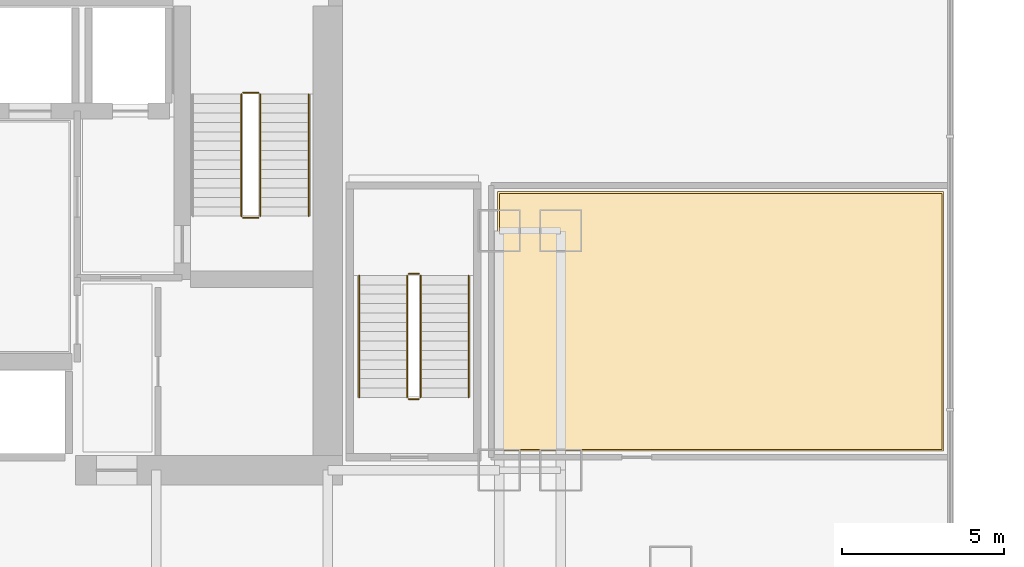
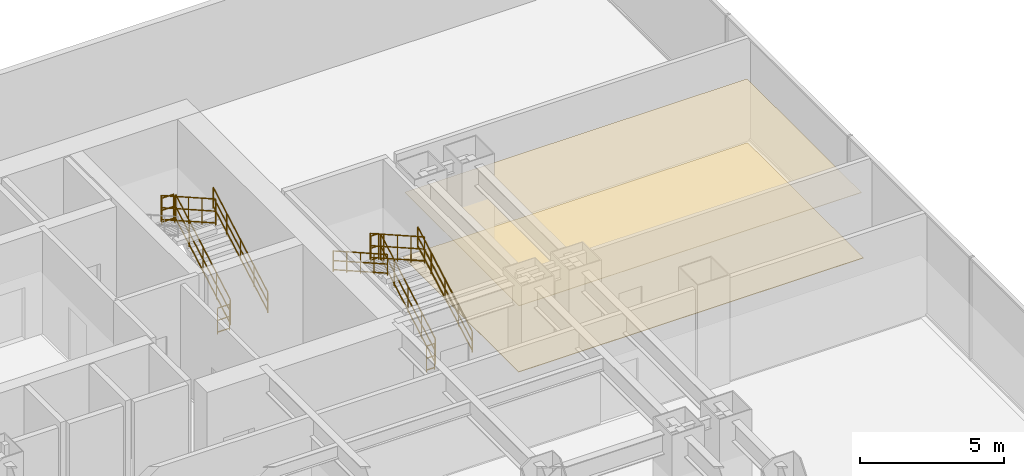
# One storey, part 13 of 13: 11 railings, 2 coverings.
"""IFC4 building model written with IfcOpenShell, lengths in metres."""

from ifc_helpers import new_model, si_unit, direction, frame, origin, origin_2d, place, context, subcontext, project, spatial, polyline, circle, outline, extrude, material, layer, layer_set, type_object, element, save


model = new_model("IFC4")

# Units and contexts
model_context = context("Model", 3, precision=1e-05, world=origin(), true_north=direction((0.0, 1.0)))
body_context = subcontext(model_context, "Body", "Model", "MODEL_VIEW")
ifc_project = project(units=[si_unit("LENGTHUNIT", "METRE"), si_unit("AREAUNIT", "SQUARE_METRE"), si_unit("VOLUMEUNIT", "CUBIC_METRE"), si_unit("PLANEANGLEUNIT", "RADIAN"), si_unit("MASSUNIT", "GRAM", prefix="KILO")], contexts=[model_context])

# Site, building, storey
site_placement = place(None, origin())
site = spatial("IfcSite", under=ifc_project, at=site_placement, CompositionType="ELEMENT")
building_placement = place(site_placement, origin())
building = spatial("IfcBuilding", under=site, at=building_placement, Name="Qianlan Lanfeng Residences", CompositionType="ELEMENT")
storey_placement = place(building_placement, frame((0.0, 0.0, 5.199951171875)))
storey = spatial("IfcBuildingStorey", under=building, at=storey_placement, Name="L01", CompositionType="ELEMENT", Elevation=5.199951171875)

# Coverings
ifc_material_1 = material(Name="Acoustic Perforated Gypsum Ceiling Board")
ifc_layer_1 = layer(ifc_material_1, 0.02001953125)
ifc_layer_set_1 = layer_set([ifc_layer_1], Name="Acoustic Perforated Gypsum Ceiling Board")
covering_type_1 = type_object("IfcCoveringType", Name="CLG-GYP-15", PredefinedType="CEILING", material=ifc_layer_set_1)
covering_1_placement = place(storey_placement, frame((0.0, 0.0, 2.75)))
element("IfcCovering", 1, at=covering_1_placement, inside=storey, type_object=covering_type_1, Name="L01 Resident Lounge Suspended Ceiling", PredefinedType="CEILING", context=body_context, shape_type="SweptSolid", body=[
    extrude(outline(polyline([(47.699951171875, 25.840087890625), (61.3798828125, 25.840087890625), (61.3798828125, 33.760009765625), (47.699951171875, 33.760009765625), (47.699951171875, 25.840087890625)])), origin(), (0.0, 0.0, 1.0), 0.02001953125),
])
ifc_material_2 = material(Name="Engineered Smoked Oak Timber Flooring", Category="wood")
ifc_layer_2 = layer(ifc_material_2, 0.02197265625)
ifc_layer_set_2 = layer_set([ifc_layer_2], Name="Engineered Smoked Oak Timber Flooring")
covering_type_2 = type_object("IfcCoveringType", Name="FLR-TIM-22", PredefinedType="FLOORING", material=ifc_layer_set_2)
covering_2_placement = place(storey_placement, origin())
element("IfcCovering", 2, at=covering_2_placement, inside=storey, type_object=covering_type_2, Name="L01 Resident Lounge Floor Finish", PredefinedType="FLOORING", context=body_context, shape_type="SweptSolid", body=[
    extrude(outline(polyline([(47.64990234375, 25.7900390625), (61.429931640625, 25.7900390625), (61.429931640625, 33.81005859375), (47.64990234375, 33.81005859375), (47.64990234375, 25.7900390625)])), origin(), (0.0, 0.0, 1.0), 0.02197265625),
])

# Railings
ifc_material_3 = material(Name="Painted Galvanised Steel Guardrail", Category="steel")
railing_type_1 = type_object("IfcRailingType", Name="GR-ST-1120", PredefinedType="GUARDRAIL", material=ifc_material_3)
railing_1_placement = place(storey_placement, frame((40.31005859375, 33.050048828125, 0.164306640625)))
element("IfcRailing", 3, at=railing_1_placement, inside=storey, type_object=railing_type_1, Name="L01 ST-2 stair guard 1", PredefinedType="GUARDRAIL", context=body_context, shape_type="SweptSolid", body=[
    extrude(circle(Radius=0.02392578125, at=origin_2d()), frame((0.0, 0.0, 0.083984375), z_axis=(0.0, 0.870081794457, 0.492907365491), x_axis=(-1.0, 0.0, 0.0)), (0.0, 0.0, 1.0), 4.3330078125),
    extrude(circle(Radius=0.02392578125, at=origin_2d()), frame((0.0, 0.0, 0.58251953125), z_axis=(0.0, 0.870081794457, 0.492907365491), x_axis=(-1.0, 0.0, 0.0)), (0.0, 0.0, 1.0), 4.3330078125),
    extrude(circle(Radius=0.02392578125, at=origin_2d()), frame((0.0, 0.0, 1.09619140625), z_axis=(0.0, 0.870081794457, 0.492907365491), x_axis=(-1.0, 0.0, 0.0)), (0.0, 0.0, 1.0), 4.3330078125),
    extrude(circle(Radius=0.02099609375, at=origin_2d()), origin(), (0.0, 0.0, 1.0), 1.072021484375),
    extrude(circle(Radius=0.02099609375, at=origin_2d()), frame((0.0, 0.9423828125, 0.533935546875)), (0.0, 0.0, 1.0), 1.072021484375),
    extrude(circle(Radius=0.02099609375, at=origin_2d()), frame((0.0, 1.885009765625, 1.06787109375)), (0.0, 0.0, 1.0), 1.072021484375),
    extrude(circle(Radius=0.02099609375, at=origin_2d()), frame((0.0, 2.82763671875, 1.601806640625)), (0.0, 0.0, 1.0), 1.072021484375),
    extrude(circle(Radius=0.02099609375, at=origin_2d()), frame((0.0, 3.77001953125, 2.1357421875)), (0.0, 0.0, 1.0), 1.072021484375),
])
railing_2_placement = place(storey_placement, frame((40.260009765625, 36.8701171875, 2.300048828125)))
element("IfcRailing", 4, at=railing_2_placement, inside=storey, type_object=railing_type_1, Name="L01 ST-2 stair guard 2", PredefinedType="GUARDRAIL", context=body_context, shape_type="SweptSolid", body=[
    extrude(circle(Radius=0.02392578125, at=origin_2d()), frame((0.0, 0.0, 0.083984375), z_axis=(-1.0, 0.0, 0.0), x_axis=(0.0, -1.0, 0.0)), (0.0, 0.0, 1.0), 0.47998046875),
    extrude(circle(Radius=0.02392578125, at=origin_2d()), frame((0.0, 0.0, 0.58251953125), z_axis=(-1.0, 0.0, 0.0), x_axis=(0.0, -1.0, 0.0)), (0.0, 0.0, 1.0), 0.47998046875),
    extrude(circle(Radius=0.02392578125, at=origin_2d()), frame((0.0, 0.0, 1.09619140625), z_axis=(-1.0, 0.0, 0.0), x_axis=(0.0, -1.0, 0.0)), (0.0, 0.0, 1.0), 0.47998046875),
    extrude(circle(Radius=0.02099609375, at=origin_2d()), origin(), (0.0, 0.0, 1.0), 1.072021484375),
    extrude(circle(Radius=0.02099609375, at=origin_2d()), frame((-0.47998046875, 0.0, 0.0)), (0.0, 0.0, 1.0), 1.072021484375),
])
railing_3_placement = place(storey_placement, frame((39.72998046875, 36.820068359375, 2.46435546875)))
element("IfcRailing", 5, at=railing_3_placement, inside=storey, type_object=railing_type_1, Name="L01 ST-2 stair guard 3", PredefinedType="GUARDRAIL", context=body_context, shape_type="SweptSolid", body=[
    extrude(circle(Radius=0.02392578125, at=origin_2d()), frame((0.0, 0.0, 0.083984375), z_axis=(0.0, -0.870081794457, 0.492907365491), x_axis=(1.0, 0.0, 0.0)), (0.0, 0.0, 1.0), 4.3330078125),
    extrude(circle(Radius=0.02392578125, at=origin_2d()), frame((0.0, 0.0, 0.58251953125), z_axis=(0.0, -0.870081794457, 0.492907365491), x_axis=(1.0, 0.0, 0.0)), (0.0, 0.0, 1.0), 4.3330078125),
    extrude(circle(Radius=0.02392578125, at=origin_2d()), frame((0.0, 0.0, 1.09619140625), z_axis=(0.0, -0.870081794457, 0.492907365491), x_axis=(1.0, 0.0, 0.0)), (0.0, 0.0, 1.0), 4.3330078125),
    extrude(circle(Radius=0.02099609375, at=origin_2d()), origin(), (0.0, 0.0, 1.0), 1.072021484375),
    extrude(circle(Radius=0.02099609375, at=origin_2d()), frame((0.0, -0.9423828125, 0.533935546875)), (0.0, 0.0, 1.0), 1.072021484375),
    extrude(circle(Radius=0.02099609375, at=origin_2d()), frame((0.0, -1.885009765625, 1.06787109375)), (0.0, 0.0, 1.0), 1.072021484375),
    extrude(circle(Radius=0.02099609375, at=origin_2d()), frame((0.0, -2.82763671875, 1.601806640625)), (0.0, 0.0, 1.0), 1.072021484375),
    extrude(circle(Radius=0.02099609375, at=origin_2d()), frame((0.0, -3.77001953125, 2.1357421875)), (0.0, 0.0, 1.0), 1.072021484375),
])
railing_4_placement = place(storey_placement, frame((40.260009765625, 33.0, 0.0)))
element("IfcRailing", 6, at=railing_4_placement, inside=storey, type_object=railing_type_1, Name="L01 ST-2 stair guard 4", PredefinedType="GUARDRAIL", context=body_context, shape_type="SweptSolid", body=[
    extrude(circle(Radius=0.02392578125, at=origin_2d()), frame((0.0, 0.0, 0.083984375), z_axis=(-1.0, 0.0, 0.0), x_axis=(0.0, -1.0, 0.0)), (0.0, 0.0, 1.0), 0.47998046875),
    extrude(circle(Radius=0.02392578125, at=origin_2d()), frame((0.0, 0.0, 0.58251953125), z_axis=(-1.0, 0.0, 0.0), x_axis=(0.0, -1.0, 0.0)), (0.0, 0.0, 1.0), 0.47998046875),
    extrude(circle(Radius=0.02392578125, at=origin_2d()), frame((0.0, 0.0, 1.09619140625), z_axis=(-1.0, 0.0, 0.0), x_axis=(0.0, -1.0, 0.0)), (0.0, 0.0, 1.0), 0.47998046875),
    extrude(circle(Radius=0.02099609375, at=origin_2d()), origin(), (0.0, 0.0, 1.0), 1.072021484375),
    extrude(circle(Radius=0.02099609375, at=origin_2d()), frame((-0.47998046875, 0.0, 0.0)), (0.0, 0.0, 1.0), 1.072021484375),
])
railing_5_placement = place(storey_placement, frame((45.27001953125, 27.449951171875, 0.164306640625)))
element("IfcRailing", 7, at=railing_5_placement, inside=storey, type_object=railing_type_1, Name="L01 ST-P1 stair guard 1", PredefinedType="GUARDRAIL", context=body_context, shape_type="SweptSolid", body=[
    extrude(circle(Radius=0.02392578125, at=origin_2d()), frame((0.0, 0.0, 0.083984375), z_axis=(0.0, 0.870081794457, 0.492907365491), x_axis=(-1.0, 0.0, 0.0)), (0.0, 0.0, 1.0), 4.3330078125),
    extrude(circle(Radius=0.02392578125, at=origin_2d()), frame((0.0, 0.0, 0.58251953125), z_axis=(0.0, 0.870081794457, 0.492907365491), x_axis=(-1.0, 0.0, 0.0)), (0.0, 0.0, 1.0), 4.3330078125),
    extrude(circle(Radius=0.02392578125, at=origin_2d()), frame((0.0, 0.0, 1.09619140625), z_axis=(0.0, 0.870081794457, 0.492907365491), x_axis=(-1.0, 0.0, 0.0)), (0.0, 0.0, 1.0), 4.3330078125),
    extrude(circle(Radius=0.02099609375, at=origin_2d()), origin(), (0.0, 0.0, 1.0), 1.072021484375),
    extrude(circle(Radius=0.02099609375, at=origin_2d()), frame((0.0, 0.9423828125, 0.533935546875)), (0.0, 0.0, 1.0), 1.072021484375),
    extrude(circle(Radius=0.02099609375, at=origin_2d()), frame((0.0, 1.885009765625, 1.06787109375)), (0.0, 0.0, 1.0), 1.072021484375),
    extrude(circle(Radius=0.02099609375, at=origin_2d()), frame((0.0, 2.82763671875, 1.601806640625)), (0.0, 0.0, 1.0), 1.072021484375),
    extrude(circle(Radius=0.02099609375, at=origin_2d()), frame((0.0, 3.77001953125, 2.1357421875)), (0.0, 0.0, 1.0), 1.072021484375),
])
railing_6_placement = place(storey_placement, frame((45.219970703125, 31.27001953125, 2.300048828125)))
element("IfcRailing", 8, at=railing_6_placement, inside=storey, type_object=railing_type_1, Name="L01 ST-P1 stair guard 2", PredefinedType="GUARDRAIL", context=body_context, shape_type="SweptSolid", body=[
    extrude(circle(Radius=0.02392578125, at=origin_2d()), frame((0.0, 0.0, 0.083984375), z_axis=(-1.0, 0.0, 0.0), x_axis=(0.0, -1.0, 0.0)), (0.0, 0.0, 1.0), 0.320068359375),
    extrude(circle(Radius=0.02392578125, at=origin_2d()), frame((0.0, 0.0, 0.58251953125), z_axis=(-1.0, 0.0, 0.0), x_axis=(0.0, -1.0, 0.0)), (0.0, 0.0, 1.0), 0.320068359375),
    extrude(circle(Radius=0.02392578125, at=origin_2d()), frame((0.0, 0.0, 1.09619140625), z_axis=(-1.0, 0.0, 0.0), x_axis=(0.0, -1.0, 0.0)), (0.0, 0.0, 1.0), 0.320068359375),
    extrude(circle(Radius=0.02099609375, at=origin_2d()), origin(), (0.0, 0.0, 1.0), 1.072021484375),
    extrude(circle(Radius=0.02099609375, at=origin_2d()), frame((-0.320068359375, 0.0, 0.0)), (0.0, 0.0, 1.0), 1.072021484375),
])
railing_7_placement = place(storey_placement, frame((44.85009765625, 31.219970703125, 2.46435546875)))
element("IfcRailing", 9, at=railing_7_placement, inside=storey, type_object=railing_type_1, Name="L01 ST-P1 stair guard 3", PredefinedType="GUARDRAIL", context=body_context, shape_type="SweptSolid", body=[
    extrude(circle(Radius=0.02392578125, at=origin_2d()), frame((0.0, 0.0, 0.083984375), z_axis=(0.0, -0.870081794457, 0.492907365491), x_axis=(1.0, 0.0, 0.0)), (0.0, 0.0, 1.0), 4.3330078125),
    extrude(circle(Radius=0.02392578125, at=origin_2d()), frame((0.0, 0.0, 0.58251953125), z_axis=(0.0, -0.870081794457, 0.492907365491), x_axis=(1.0, 0.0, 0.0)), (0.0, 0.0, 1.0), 4.3330078125),
    extrude(circle(Radius=0.02392578125, at=origin_2d()), frame((0.0, 0.0, 1.09619140625), z_axis=(0.0, -0.870081794457, 0.492907365491), x_axis=(1.0, 0.0, 0.0)), (0.0, 0.0, 1.0), 4.3330078125),
    extrude(circle(Radius=0.02099609375, at=origin_2d()), origin(), (0.0, 0.0, 1.0), 1.072021484375),
    extrude(circle(Radius=0.02099609375, at=origin_2d()), frame((0.0, -0.9423828125, 0.533935546875)), (0.0, 0.0, 1.0), 1.072021484375),
    extrude(circle(Radius=0.02099609375, at=origin_2d()), frame((0.0, -1.885009765625, 1.06787109375)), (0.0, 0.0, 1.0), 1.072021484375),
    extrude(circle(Radius=0.02099609375, at=origin_2d()), frame((0.0, -2.82763671875, 1.601806640625)), (0.0, 0.0, 1.0), 1.072021484375),
    extrude(circle(Radius=0.02099609375, at=origin_2d()), frame((0.0, -3.77001953125, 2.1357421875)), (0.0, 0.0, 1.0), 1.072021484375),
])
railing_8_placement = place(storey_placement, frame((45.219970703125, 27.39990234375, 0.0)))
element("IfcRailing", 10, at=railing_8_placement, inside=storey, type_object=railing_type_1, Name="L01 ST-P1 stair guard 4", PredefinedType="GUARDRAIL", context=body_context, shape_type="SweptSolid", body=[
    extrude(circle(Radius=0.02392578125, at=origin_2d()), frame((0.0, 0.0, 0.083984375), z_axis=(-1.0, 0.0, 0.0), x_axis=(0.0, -1.0, 0.0)), (0.0, 0.0, 1.0), 0.320068359375),
    extrude(circle(Radius=0.02392578125, at=origin_2d()), frame((0.0, 0.0, 0.58251953125), z_axis=(-1.0, 0.0, 0.0), x_axis=(0.0, -1.0, 0.0)), (0.0, 0.0, 1.0), 0.320068359375),
    extrude(circle(Radius=0.02392578125, at=origin_2d()), frame((0.0, 0.0, 1.09619140625), z_axis=(-1.0, 0.0, 0.0), x_axis=(0.0, -1.0, 0.0)), (0.0, 0.0, 1.0), 0.320068359375),
    extrude(circle(Radius=0.02099609375, at=origin_2d()), origin(), (0.0, 0.0, 1.0), 1.072021484375),
    extrude(circle(Radius=0.02099609375, at=origin_2d()), frame((-0.320068359375, 0.0, 0.0)), (0.0, 0.0, 1.0), 1.072021484375),
])
ifc_material_4 = material(Name="Brushed Stainless Steel Handrail", Category="steel")
railing_type_2 = type_object("IfcRailingType", Name="HR-ST-920", PredefinedType="HANDRAIL", material=ifc_material_4)
for number, where, name in (
    (11, (41.81005859375, 33.050048828125, 0.164306640625), "L01 ST-2 stair handrail 1"),
    (12, (46.75, 27.449951171875, 0.164306640625), "L01 ST-P1 stair handrail 1"),
):
    element("IfcRailing", number, at=place(storey_placement, frame(where)), inside=storey, type_object=railing_type_2, Name=name, PredefinedType="HANDRAIL", context=body_context, shape_type="SweptSolid", body=[
        extrude(circle(Radius=0.02392578125, at=origin_2d()), frame((0.0, 0.0, 0.083984375), z_axis=(0.0, 0.870081794457, 0.492907365491), x_axis=(-1.0, 0.0, 0.0)), (0.0, 0.0, 1.0), 4.3330078125),
        extrude(circle(Radius=0.02392578125, at=origin_2d()), frame((0.0, 0.0, 0.468017578125), z_axis=(0.0, 0.870081794457, 0.492907365491), x_axis=(-1.0, 0.0, 0.0)), (0.0, 0.0, 1.0), 4.3330078125),
        extrude(circle(Radius=0.02392578125, at=origin_2d()), frame((0.0, 0.0, 0.8759765625), z_axis=(0.0, 0.870081794457, 0.492907365491), x_axis=(-1.0, 0.0, 0.0)), (0.0, 0.0, 1.0), 4.3330078125),
        extrude(circle(Radius=0.02099609375, at=origin_2d()), origin(), (0.0, 0.0, 1.0), 0.851806640625),
        extrude(circle(Radius=0.02099609375, at=origin_2d()), frame((0.0, 0.9423828125, 0.533935546875)), (0.0, 0.0, 1.0), 0.851806640625),
        extrude(circle(Radius=0.02099609375, at=origin_2d()), frame((0.0, 1.885009765625, 1.06787109375)), (0.0, 0.0, 1.0), 0.851806640625),
        extrude(circle(Radius=0.02099609375, at=origin_2d()), frame((0.0, 2.82763671875, 1.601806640625)), (0.0, 0.0, 1.0), 0.851806640625),
        extrude(circle(Radius=0.02099609375, at=origin_2d()), frame((0.0, 3.77001953125, 2.1357421875)), (0.0, 0.0, 1.0), 0.851806640625),
    ])
railing_9_placement = place(storey_placement, frame((43.3701171875, 31.219970703125, 2.46435546875)))
element("IfcRailing", 13, at=railing_9_placement, inside=storey, type_object=railing_type_2, Name="L01 ST-P1 stair handrail 2", PredefinedType="HANDRAIL", context=body_context, shape_type="SweptSolid", body=[
    extrude(circle(Radius=0.02392578125, at=origin_2d()), frame((0.0, 0.0, 0.083984375), z_axis=(0.0, -0.870081794457, 0.492907365491), x_axis=(1.0, 0.0, 0.0)), (0.0, 0.0, 1.0), 4.3330078125),
    extrude(circle(Radius=0.02392578125, at=origin_2d()), frame((0.0, 0.0, 0.468017578125), z_axis=(0.0, -0.870081794457, 0.492907365491), x_axis=(1.0, 0.0, 0.0)), (0.0, 0.0, 1.0), 4.3330078125),
    extrude(circle(Radius=0.02392578125, at=origin_2d()), frame((0.0, 0.0, 0.8759765625), z_axis=(0.0, -0.870081794457, 0.492907365491), x_axis=(1.0, 0.0, 0.0)), (0.0, 0.0, 1.0), 4.3330078125),
    extrude(circle(Radius=0.02099609375, at=origin_2d()), origin(), (0.0, 0.0, 1.0), 0.851806640625),
    extrude(circle(Radius=0.02099609375, at=origin_2d()), frame((0.0, -0.9423828125, 0.533935546875)), (0.0, 0.0, 1.0), 0.851806640625),
    extrude(circle(Radius=0.02099609375, at=origin_2d()), frame((0.0, -1.885009765625, 1.06787109375)), (0.0, 0.0, 1.0), 0.851806640625),
    extrude(circle(Radius=0.02099609375, at=origin_2d()), frame((0.0, -2.82763671875, 1.601806640625)), (0.0, 0.0, 1.0), 0.851806640625),
    extrude(circle(Radius=0.02099609375, at=origin_2d()), frame((0.0, -3.77001953125, 2.1357421875)), (0.0, 0.0, 1.0), 0.851806640625),
])

save(model, "model.ifc")
